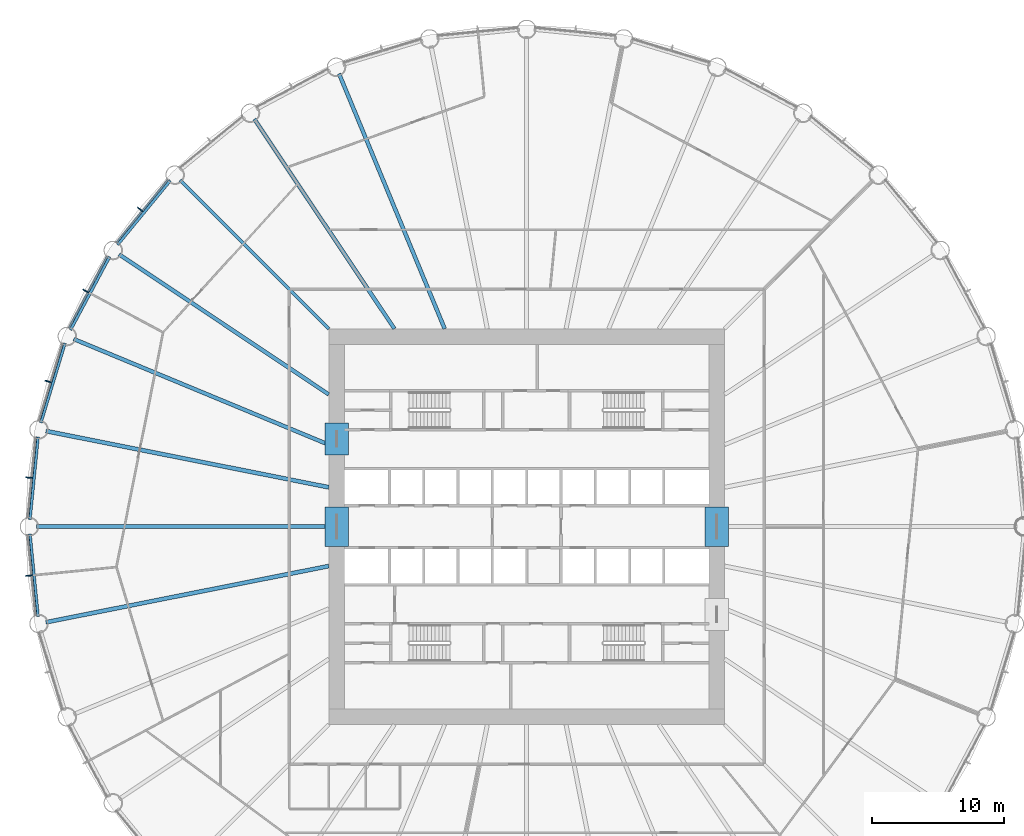
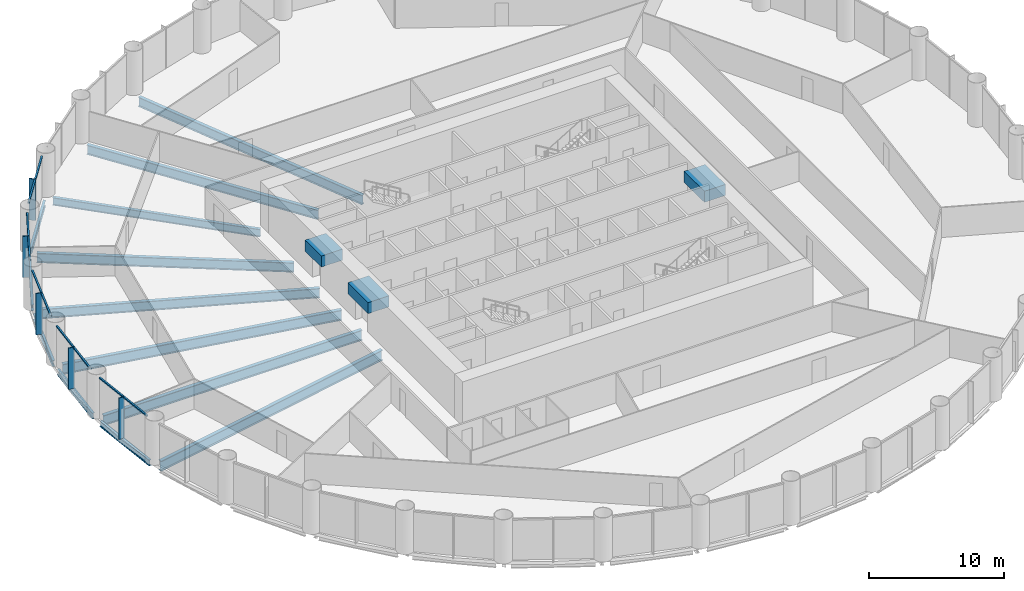
# One storey, part 4 of 15: 16 beams, 15 members, 5 elements without a shape of their own.
"""IFC4 building model written with IfcOpenShell, lengths in metres."""

from ifc_helpers import new_model, si_unit, direction, frame, origin, origin_2d, place, context, subcontext, project, spatial, rectangle, i_section, extrude, material, material_profile, profile_set, type_object, element, aggregate, save


model = new_model("IFC4")

# Units and contexts
model_context = context("Model", 3, precision=1e-05, world=origin(), true_north=direction((0.0, 1.0)))
body_context = subcontext(model_context, "Body", "Model", "MODEL_VIEW")
ifc_project = project(units=[si_unit("LENGTHUNIT", "METRE"), si_unit("AREAUNIT", "SQUARE_METRE"), si_unit("VOLUMEUNIT", "CUBIC_METRE"), si_unit("PLANEANGLEUNIT", "RADIAN"), si_unit("MASSUNIT", "GRAM", prefix="KILO")], contexts=[model_context])

# Site, building, storey
site_placement = place(None, origin())
site = spatial("IfcSite", under=ifc_project, at=site_placement, CompositionType="ELEMENT")
building_placement = place(site_placement, origin())
building = spatial("IfcBuilding", under=site, at=building_placement, Name="Corvane Civic Tower", CompositionType="ELEMENT")
storey_placement = place(building_placement, frame((0.0, 0.0, 41.0)))
storey = spatial("IfcBuildingStorey", under=building, at=storey_placement, Name="L08", CompositionType="ELEMENT", Elevation=41.0)

# Beams
ifc_material_1 = material(Name="Concrete C80/95", Category="concrete")
ifc_material_profile_1 = material_profile(ifc_material_1, rectangle(XDim=1.800048828125, YDim=1.0, at=origin_2d()), Name="COUPLING BEAM 1800X1000")
ifc_profile_set_1 = profile_set([ifc_material_profile_1], Name="Concrete C80/95")
beam_type_1 = type_object("IfcBeamType", Name="COUPLING BEAM COUPLING BEAM 1800X1000", PredefinedType="BEAM", material=ifc_profile_set_1)
for number, where, z_axis, x_axis, name in (
    (1, (-14.39990234375, -1.5, 2.60009765625), (0.0, 1.0, 0.0), (-1.0, 0.0, 0.0), "BM-L08-cpl-CW-LW"),
    (2, (14.39990234375, -1.5, 2.60009765625), (0.0, 1.0, 0.0), (-1.0, 0.0, 0.0), "BM-L08-cpl-CW-LE"),
):
    element("IfcBeam", number, at=place(storey_placement, frame(where, z_axis=z_axis, x_axis=x_axis)), inside=storey, type_object=beam_type_1, Name=name, PredefinedType="BEAM", context=body_context, shape_type="SweptSolid", body=[
        extrude(rectangle(XDim=1.800048828125, YDim=1.0, at=origin_2d()), origin(), (0.0, 0.0, 1.0), 3.0),
    ])
beam_1_placement = place(storey_placement, frame((-14.39990234375, 5.449951171875, 2.60009765625), z_axis=(0.0, 1.0, 0.0), x_axis=(-1.0, 0.0, 0.0)))
element("IfcBeam", 3, at=beam_1_placement, inside=storey, type_object=beam_type_1, Name="BM-L08-cpl-CW-WN", PredefinedType="BEAM", context=body_context, shape_type="SweptSolid", body=[
    extrude(rectangle(XDim=1.800048828125, YDim=1.0, at=origin_2d()), origin(), (0.0, 0.0, 1.0), 2.400146484375),
])
ifc_material_2 = material(Name="Steel ASTM A992 Gr 50", Category="steel")
ifc_material_profile_2 = material_profile(ifc_material_2, i_section(OverallWidth=0.209228515625, OverallDepth=0.533447265625, WebThickness=0.01025390625, FlangeThickness=0.015625, at=origin_2d()), Name="W21X62")
ifc_profile_set_2 = profile_set([ifc_material_profile_2], Name="Steel ASTM A992 Gr 50")
beam_type_2 = type_object("IfcBeamType", Name="EDGE BEAM W21X62", PredefinedType="BEAM", material=ifc_profile_set_2)
for number, where, z_axis, x_axis, name in (
    (4, (-37.029541015625, -6.8076171875, -0.566650390625), (-0.097997284622, 0.995186682089, 0.0), (-0.995186682089, -0.097997284622, 0.0), "BM-L08-E24"),
    (5, (-37.64599609375, 0.54736328125, -0.566650390625), (0.097997284622, 0.995186682089, 0.0), (-0.995186682089, 0.097997284622, 0.0), "BM-L08-E25"),
):
    element("IfcBeam", number, at=place(storey_placement, frame(where, z_axis=z_axis, x_axis=x_axis)), inside=storey, type_object=beam_type_2, Name=name, PredefinedType="BEAM", context=body_context, shape_type="SweptSolid", body=[
        extrude(i_section(OverallWidth=0.209228515625, OverallDepth=0.533447265625, WebThickness=0.01025390625, FlangeThickness=0.015625, at=origin_2d()), origin(), (0.0, 0.0, 1.0), 6.29052734375),
    ])
for number, where, z_axis, x_axis, name in (
    (6, (-36.81591796875, 7.88134765625, -0.566650390625), (0.290273452184, 0.956943740748, 0.0), (-0.956943740748, 0.290273452184, 0.0), "BM-L08-E26"),
    (7, (-34.571044921875, 14.912353515625, -0.566650390625), (0.471405897311, 0.881916367906, 0.0), (-0.881916367906, 0.471405897311, 0.0), "BM-L08-E27"),
):
    element("IfcBeam", number, at=place(storey_placement, frame(where, z_axis=z_axis, x_axis=x_axis)), inside=storey, type_object=beam_type_2, Name=name, PredefinedType="BEAM", context=body_context, shape_type="SweptSolid", body=[
        extrude(i_section(OverallWidth=0.209228515625, OverallDepth=0.533447265625, WebThickness=0.01025390625, FlangeThickness=0.015625, at=origin_2d()), origin(), (0.0, 0.0, 1.0), 6.290283203125),
    ])
beam_2_placement = place(storey_placement, frame((-30.99755859375, 21.3701171875, -0.566650390625), z_axis=(0.634386787141, 0.773015785286, 0.0), x_axis=(-0.773015785286, 0.634386787141, 0.0)))
element("IfcBeam", 8, at=beam_2_placement, inside=storey, type_object=beam_type_2, Name="BM-L08-E28", PredefinedType="BEAM", context=body_context, shape_type="SweptSolid", body=[
    extrude(i_section(OverallWidth=0.209228515625, OverallDepth=0.533447265625, WebThickness=0.01025390625, FlangeThickness=0.015625, at=origin_2d()), origin(), (0.0, 0.0, 1.0), 6.290771484375),
])
ifc_material_3 = material(Name="Steel ASTM A992 Gr 50", Category="steel")
ifc_material_profile_3 = material_profile(ifc_material_3, i_section(OverallWidth=0.256591796875, OverallDepth=0.693359375, WebThickness=0.014404296875, FlangeThickness=0.023681640625, at=origin_2d()), Name="W27X114")
ifc_profile_set_3 = profile_set([ifc_material_profile_3], Name="Steel ASTM A992 Gr 50")
beam_type_3 = type_object("IfcBeamType", Name="FLOOR GIRDER W27X114", PredefinedType="BEAM", material=ifc_profile_set_3)
beam_3_placement = place(storey_placement, frame((-15.0, 15.0, -0.646728515625), z_axis=(-0.707106781187, 0.707106781187, 0.0), x_axis=(-0.707106781187, -0.707106781187, 0.0)))
element("IfcBeam", 9, at=beam_3_placement, inside=storey, type_object=beam_type_3, Name="BM-L08-G29", PredefinedType="BEAM", context=body_context, shape_type="SweptSolid", body=[
    extrude(i_section(OverallWidth=0.256591796875, OverallDepth=0.693359375, WebThickness=0.014404296875, FlangeThickness=0.023681640625, at=origin_2d()), origin(), (0.0, 0.0, 1.0), 15.936767578125),
])
ifc_material_4 = material(Name="Steel ASTM A992 Gr 50", Category="steel")
ifc_material_profile_4 = material_profile(ifc_material_4, i_section(OverallWidth=0.2919921875, OverallDepth=0.8583984375, WebThickness=0.01708984375, FlangeThickness=0.031005859375, at=origin_2d()), Name="W33X169")
ifc_profile_set_4 = profile_set([ifc_material_profile_4], Name="Steel ASTM A992 Gr 50")
beam_type_4 = type_object("IfcBeamType", Name="FLOOR GIRDER W33X169", PredefinedType="BEAM", material=ifc_profile_set_4)
beam_4_placement = place(storey_placement, frame((-15.0, 6.213134765625, -0.729248046875), z_axis=(-0.923875834355, 0.382692360381, 0.0), x_axis=(-0.382692360381, -0.923875834355, 0.0)))
element("IfcBeam", 10, at=beam_4_placement, inside=storey, type_object=beam_type_4, Name="BM-L08-G27", PredefinedType="BEAM", context=body_context, shape_type="SweptSolid", body=[
    extrude(i_section(OverallWidth=0.2919921875, OverallDepth=0.8583984375, WebThickness=0.01708984375, FlangeThickness=0.031005859375, at=origin_2d()), origin(), (0.0, 0.0, 1.0), 20.9140625),
])
for number, where, z_axis, x_axis, name in (
    (11, (-15.0, 10.022705078125, -0.729248046875), (-0.831471985418, 0.555566681385, 0.0), (-0.555566681385, -0.831471985418, 0.0), "BM-L08-G28"),
    (12, (-10.022705078125, 15.0, -0.729248046875), (-0.555566681385, 0.831471985418, 0.0), (-0.831471985418, -0.555566681385, 0.0), "BM-L08-G30"),
):
    element("IfcBeam", number, at=place(storey_placement, frame(where, z_axis=z_axis, x_axis=x_axis)), inside=storey, type_object=beam_type_4, Name=name, PredefinedType="BEAM", context=body_context, shape_type="SweptSolid", body=[
        extrude(i_section(OverallWidth=0.2919921875, OverallDepth=0.8583984375, WebThickness=0.01708984375, FlangeThickness=0.031005859375, at=origin_2d()), origin(), (0.0, 0.0, 1.0), 19.109619140625),
    ])
beam_5_placement = place(storey_placement, frame((-6.213134765625, 15.0, -0.729248046875), z_axis=(-0.382692360381, 0.923875834355, 0.0), x_axis=(-0.923875834355, -0.382692360381, 0.0)))
element("IfcBeam", 13, at=beam_5_placement, inside=storey, type_object=beam_type_4, Name="BM-L08-G31", PredefinedType="BEAM", context=body_context, shape_type="SweptSolid", body=[
    extrude(i_section(OverallWidth=0.2919921875, OverallDepth=0.8583984375, WebThickness=0.01708984375, FlangeThickness=0.031005859375, at=origin_2d()), origin(), (0.0, 0.0, 1.0), 20.9140625),
])
ifc_material_5 = material(Name="Steel ASTM A992 Gr 50", Category="steel")
ifc_material_profile_5 = material_profile(ifc_material_5, i_section(OverallWidth=0.307373046875, OverallDepth=0.927001953125, WebThickness=0.01953125, FlangeThickness=0.031982421875, at=origin_2d()), Name="W36X194")
ifc_profile_set_5 = profile_set([ifc_material_profile_5], Name="Steel ASTM A992 Gr 50")
beam_type_5 = type_object("IfcBeamType", Name="FLOOR GIRDER W36X194", PredefinedType="BEAM", material=ifc_profile_set_5)
beam_6_placement = place(storey_placement, frame((-15.0, -2.983642578125, -0.763671875), z_axis=(-0.980785499679, -0.195089219638, 0.0), x_axis=(0.195089219638, -0.980785499679, 0.0)))
element("IfcBeam", 14, at=beam_6_placement, inside=storey, type_object=beam_type_5, Name="BM-L08-G24", PredefinedType="BEAM", context=body_context, shape_type="SweptSolid", body=[
    extrude(i_section(OverallWidth=0.307373046875, OverallDepth=0.927001953125, WebThickness=0.01953125, FlangeThickness=0.031982421875, at=origin_2d()), origin(), (0.0, 0.0, 1.0), 21.856201171875),
])
beam_7_placement = place(storey_placement, frame((-15.0, 0.0, -0.763671875), z_axis=(-1.0, 0.0, 0.0), x_axis=(0.0, -1.0, 0.0)))
element("IfcBeam", 15, at=beam_7_placement, inside=storey, type_object=beam_type_5, Name="BM-L08-G25", PredefinedType="BEAM", context=body_context, shape_type="SweptSolid", body=[
    extrude(i_section(OverallWidth=0.307373046875, OverallDepth=0.927001953125, WebThickness=0.01953125, FlangeThickness=0.031982421875, at=origin_2d()), origin(), (0.0, 0.0, 1.0), 22.14990234375),
])
beam_8_placement = place(storey_placement, frame((-15.0, 2.983642578125, -0.763671875), z_axis=(-0.980785499679, 0.195089219638, 0.0), x_axis=(-0.195089219638, -0.980785499679, 0.0)))
element("IfcBeam", 16, at=beam_8_placement, inside=storey, type_object=beam_type_5, Name="BM-L08-G26", PredefinedType="BEAM", context=body_context, shape_type="SweptSolid", body=[
    extrude(i_section(OverallWidth=0.307373046875, OverallDepth=0.927001953125, WebThickness=0.01953125, FlangeThickness=0.031982421875, at=origin_2d()), origin(), (0.0, 0.0, 1.0), 21.856201171875),
])

# Curtain wall, members
ifc_material_6 = material(Name="Anodised aluminium bronze", Category="aluminium")
curtain_wall_type = type_object("IfcCurtainWallType", Name="TOWER CW-T1 STICK CURTAIN WALL", PredefinedType="NOTDEFINED", material=ifc_material_6)
curtain_wall_1_placement = place(storey_placement, origin())
curtain_wall_1 = element("IfcCurtainWall", 17, at=curtain_wall_1_placement, inside=storey, type_object=curtain_wall_type, Name="Curtain wall CW-T1 L08 bay 24", PredefinedType="NOTDEFINED")
ifc_material_7 = material(Name="Anodised aluminium bronze", Category="aluminium")
ifc_material_profile_6 = material_profile(ifc_material_7, rectangle(XDim=0.139892578125, YDim=0.1201171875, at=origin_2d()), Name="TOWER CW-T1 TRANSOM 140x120")
ifc_profile_set_6 = profile_set([ifc_material_profile_6], Name="Anodised aluminium bronze")
member_type_1 = type_object("IfcMemberType", Name="TOWER CW-T1 TRANSOM 140x120", PredefinedType="USERDEFINED", material=ifc_profile_set_6)
member_1_placement = place(storey_placement, frame((-37.21728515625, -6.72900390625, 3.68994140625), z_axis=(-0.097944923917, 0.995191836722, 0.0), x_axis=(-0.995191836722, -0.097944923917, 0.0)))
member_1 = element("IfcMember", 18, at=member_1_placement, type_object=member_type_1, Name="Transom CW-T1 L08 24.1", ObjectType="TRANSOM", PredefinedType="USERDEFINED", context=body_context, shape_type="SweptSolid", body=[
    extrude(rectangle(XDim=0.139892578125, YDim=0.1201171875, at=origin_2d()), origin(), (0.0, 0.0, 1.0), 3.008544921875),
])
member_2_placement = place(storey_placement, frame((-37.52001953125, -3.6552734375, 3.68994140625), z_axis=(-0.097944923917, 0.995191836722, 0.0), x_axis=(-0.995191836722, -0.097944923917, 0.0)))
member_2 = element("IfcMember", 19, at=member_2_placement, type_object=member_type_1, Name="Transom CW-T1 L08 24.2", ObjectType="TRANSOM", PredefinedType="USERDEFINED", context=body_context, shape_type="SweptSolid", body=[
    extrude(rectangle(XDim=0.139892578125, YDim=0.1201171875, at=origin_2d()), origin(), (0.0, 0.0, 1.0), 3.008544921875),
])

curtain_wall_2_placement = place(storey_placement, origin())
curtain_wall_2 = element("IfcCurtainWall", 20, at=curtain_wall_2_placement, inside=storey, type_object=curtain_wall_type, Name="Curtain wall CW-T1 L08 bay 25", PredefinedType="NOTDEFINED")
member_3_placement = place(storey_placement, frame((-37.814697265625, 0.6611328125, 3.68994140625), z_axis=(0.097944923917, 0.995191836722, 0.0), x_axis=(-0.995191836722, 0.097944923917, 0.0)))
member_3 = element("IfcMember", 21, at=member_3_placement, type_object=member_type_1, Name="Transom CW-T1 L08 25.1", ObjectType="TRANSOM", PredefinedType="USERDEFINED", context=body_context, shape_type="SweptSolid", body=[
    extrude(rectangle(XDim=0.139892578125, YDim=0.1201171875, at=origin_2d()), origin(), (0.0, 0.0, 1.0), 3.008544921875),
])
member_4_placement = place(storey_placement, frame((-37.511962890625, 3.73486328125, 3.68994140625), z_axis=(0.097944923917, 0.995191836722, 0.0), x_axis=(-0.995191836722, 0.097944923917, 0.0)))
member_4 = element("IfcMember", 22, at=member_4_placement, type_object=member_type_1, Name="Transom CW-T1 L08 25.2", ObjectType="TRANSOM", PredefinedType="USERDEFINED", context=body_context, shape_type="SweptSolid", body=[
    extrude(rectangle(XDim=0.139892578125, YDim=0.1201171875, at=origin_2d()), origin(), (0.0, 0.0, 1.0), 3.008544921875),
])

curtain_wall_3_placement = place(storey_placement, origin())
curtain_wall_3 = element("IfcCurtainWall", 23, at=curtain_wall_3_placement, inside=storey, type_object=curtain_wall_type, Name="Curtain wall CW-T1 L08 bay 26", PredefinedType="NOTDEFINED")
member_5_placement = place(storey_placement, frame((-36.959228515625, 8.02587890625, 3.68994140625), z_axis=(0.290279914268, 0.956941780555, 0.0), x_axis=(-0.956941780555, 0.290279914268, 0.0)))
member_5 = element("IfcMember", 24, at=member_5_placement, type_object=member_type_1, Name="Transom CW-T1 L08 26.1", ObjectType="TRANSOM", PredefinedType="USERDEFINED", context=body_context, shape_type="SweptSolid", body=[
    extrude(rectangle(XDim=0.139892578125, YDim=0.1201171875, at=origin_2d()), origin(), (0.0, 0.0, 1.0), 3.008544921875),
])
member_6_placement = place(storey_placement, frame((-36.062744140625, 10.9814453125, 3.68994140625), z_axis=(0.290279914268, 0.956941780555, 0.0), x_axis=(-0.956941780555, 0.290279914268, 0.0)))
member_6 = element("IfcMember", 25, at=member_6_placement, type_object=member_type_1, Name="Transom CW-T1 L08 26.2", ObjectType="TRANSOM", PredefinedType="USERDEFINED", context=body_context, shape_type="SweptSolid", body=[
    extrude(rectangle(XDim=0.139892578125, YDim=0.1201171875, at=origin_2d()), origin(), (0.0, 0.0, 1.0), 3.008544921875),
])

curtain_wall_4_placement = place(storey_placement, origin())
curtain_wall_4 = element("IfcCurtainWall", 26, at=curtain_wall_4_placement, inside=storey, type_object=curtain_wall_type, Name="Curtain wall CW-T1 L08 bay 27", PredefinedType="NOTDEFINED")
member_7_placement = place(storey_placement, frame((-34.683349609375, 15.08203125, 3.68994140625), z_axis=(0.471392506424, 0.881923525532, 0.0), x_axis=(-0.881923525532, 0.471392506424, 0.0)))
member_7 = element("IfcMember", 27, at=member_7_placement, type_object=member_type_1, Name="Transom CW-T1 L08 27.1", ObjectType="TRANSOM", PredefinedType="USERDEFINED", context=body_context, shape_type="SweptSolid", body=[
    extrude(rectangle(XDim=0.139892578125, YDim=0.1201171875, at=origin_2d()), origin(), (0.0, 0.0, 1.0), 3.008544921875),
])
member_8_placement = place(storey_placement, frame((-33.2275390625, 17.805908203125, 3.68994140625), z_axis=(0.471392506424, 0.881923525532, 0.0), x_axis=(-0.881923525532, 0.471392506424, 0.0)))
member_8 = element("IfcMember", 28, at=member_8_placement, type_object=member_type_1, Name="Transom CW-T1 L08 27.2", ObjectType="TRANSOM", PredefinedType="USERDEFINED", context=body_context, shape_type="SweptSolid", body=[
    extrude(rectangle(XDim=0.139892578125, YDim=0.1201171875, at=origin_2d()), origin(), (0.0, 0.0, 1.0), 3.008544921875),
])

curtain_wall_5_placement = place(storey_placement, origin())
curtain_wall_5 = element("IfcCurtainWall", 29, at=curtain_wall_5_placement, inside=storey, type_object=curtain_wall_type, Name="Curtain wall CW-T1 L08 bay 28", PredefinedType="NOTDEFINED")
member_9_placement = place(storey_placement, frame((-31.074462890625, 21.55859375, 3.68994140625), z_axis=(0.634355161466, 0.773041738279, 0.0), x_axis=(-0.773041738279, 0.634355161466, 0.0)))
member_9 = element("IfcMember", 30, at=member_9_placement, type_object=member_type_1, Name="Transom CW-T1 L08 28.1", ObjectType="TRANSOM", PredefinedType="USERDEFINED", context=body_context, shape_type="SweptSolid", body=[
    extrude(rectangle(XDim=0.139892578125, YDim=0.1201171875, at=origin_2d()), origin(), (0.0, 0.0, 1.0), 3.008544921875),
])
member_10_placement = place(storey_placement, frame((-29.115234375, 23.946044921875, 3.68994140625), z_axis=(0.634403652865, 0.773001943873, 0.0), x_axis=(-0.773001943873, 0.634403652865, 0.0)))
member_10 = element("IfcMember", 31, at=member_10_placement, type_object=member_type_1, Name="Transom CW-T1 L08 28.2", ObjectType="TRANSOM", PredefinedType="USERDEFINED", context=body_context, shape_type="SweptSolid", body=[
    extrude(rectangle(XDim=0.139892578125, YDim=0.1201171875, at=origin_2d()), origin(), (0.0, 0.0, 1.0), 3.008544921875),
])

# Member
ifc_material_8 = material(Name="Anodised aluminium bronze", Category="aluminium")
ifc_material_profile_7 = material_profile(ifc_material_8, rectangle(XDim=0.080078125, YDim=0.5, at=origin_2d()), Name="TOWER FIN MULLION 80x500 BRONZE")
ifc_profile_set_7 = profile_set([ifc_material_profile_7], Name="Anodised aluminium bronze")
member_type_2 = type_object("IfcMemberType", Name="TOWER FIN MULLION 80x500 BRONZE", PredefinedType="MULLION", material=ifc_profile_set_7)
member_11_placement = place(storey_placement, frame((-37.715087890625, -3.714599609375, 0.0), z_axis=(0.0, 0.0, 1.0), x_axis=(-0.098006239521, 0.995185800248, 0.0)))
member_11 = element("IfcMember", 32, at=member_11_placement, type_object=member_type_2, Name="Fin mullion 24 L08", PredefinedType="MULLION", context=body_context, shape_type="SweptSolid", body=[
    extrude(rectangle(XDim=0.080078125, YDim=0.5, at=origin_2d()), origin(), (0.0, 0.0, 1.0), 3.75),
])

aggregate(curtain_wall_1, [member_11, member_1, member_2])

member_12_placement = place(storey_placement, frame((-37.715087890625, 3.714599609375, 0.0), z_axis=(0.0, 0.0, 1.0), x_axis=(0.098006239521, 0.995185800248, 0.0)))
member_12 = element("IfcMember", 33, at=member_12_placement, type_object=member_type_2, Name="Fin mullion 25 L08", PredefinedType="MULLION", context=body_context, shape_type="SweptSolid", body=[
    extrude(rectangle(XDim=0.080078125, YDim=0.5, at=origin_2d()), origin(), (0.0, 0.0, 1.0), 3.75),
])

aggregate(curtain_wall_2, [member_12, member_3, member_4])

member_13_placement = place(storey_placement, frame((-36.265625, 11.001220703125, 0.0), z_axis=(0.0, 0.0, 1.0), x_axis=(0.290278397654, 0.956942240606, 0.0)))
member_13 = element("IfcMember", 34, at=member_13_placement, type_object=member_type_2, Name="Fin mullion 26 L08", PredefinedType="MULLION", context=body_context, shape_type="SweptSolid", body=[
    extrude(rectangle(XDim=0.080078125, YDim=0.5, at=origin_2d()), origin(), (0.0, 0.0, 1.0), 3.75),
])

aggregate(curtain_wall_3, [member_13, member_5, member_6])

member_14_placement = place(storey_placement, frame((-33.422607421875, 17.86474609375, 0.0), z_axis=(0.0, 0.0, 1.0), x_axis=(0.471403725359, 0.881917528864, 0.0)))
member_14 = element("IfcMember", 35, at=member_14_placement, type_object=member_type_2, Name="Fin mullion 27 L08", PredefinedType="MULLION", context=body_context, shape_type="SweptSolid", body=[
    extrude(rectangle(XDim=0.080078125, YDim=0.5, at=origin_2d()), origin(), (0.0, 0.0, 1.0), 3.75),
])

aggregate(curtain_wall_4, [member_14, member_7, member_8])

member_15_placement = place(storey_placement, frame((-29.295166015625, 24.0419921875, 0.0), z_axis=(0.0, 0.0, 1.0), x_axis=(0.634397218569, 0.773007224463, 0.0)))
member_15 = element("IfcMember", 36, at=member_15_placement, type_object=member_type_2, Name="Fin mullion 28 L08", PredefinedType="MULLION", context=body_context, shape_type="SweptSolid", body=[
    extrude(rectangle(XDim=0.080078125, YDim=0.5, at=origin_2d()), origin(), (0.0, 0.0, 1.0), 3.75),
])

aggregate(curtain_wall_5, [member_15, member_9, member_10])

save(model, "model.ifc")
